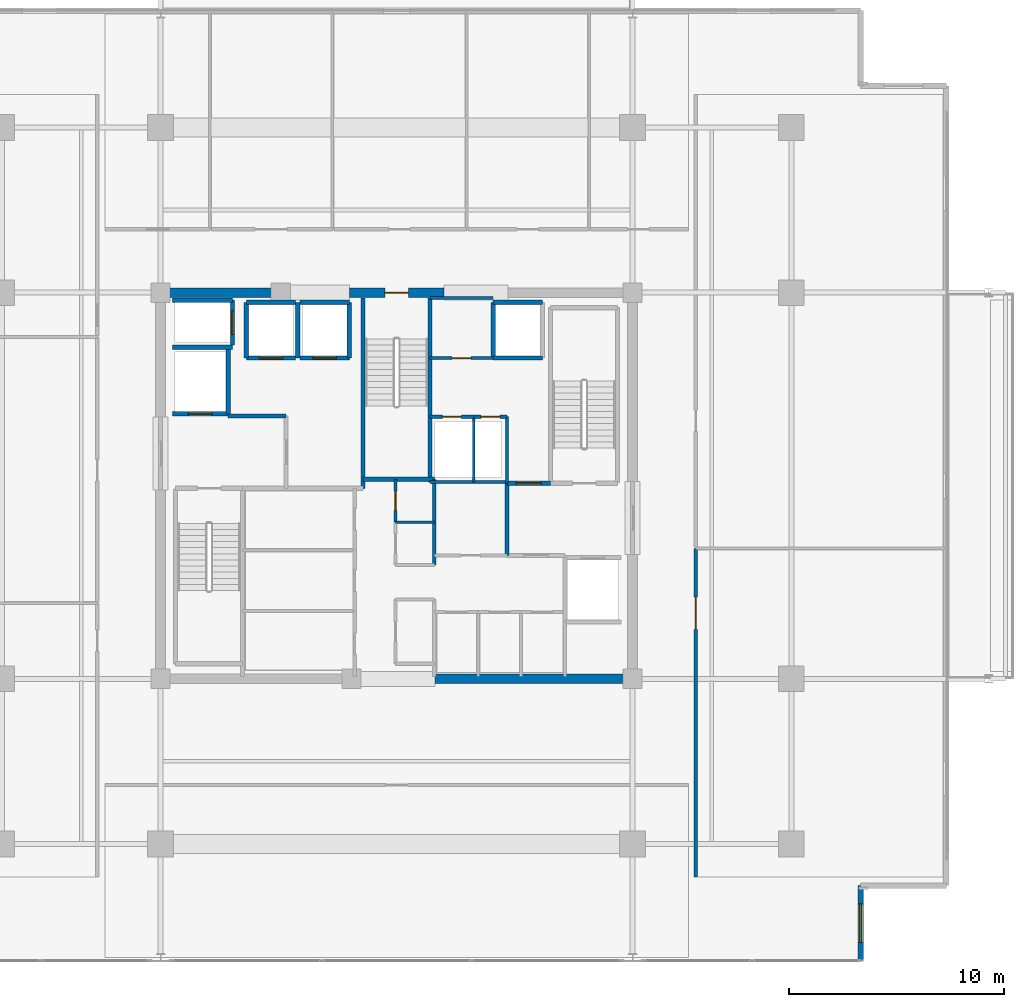
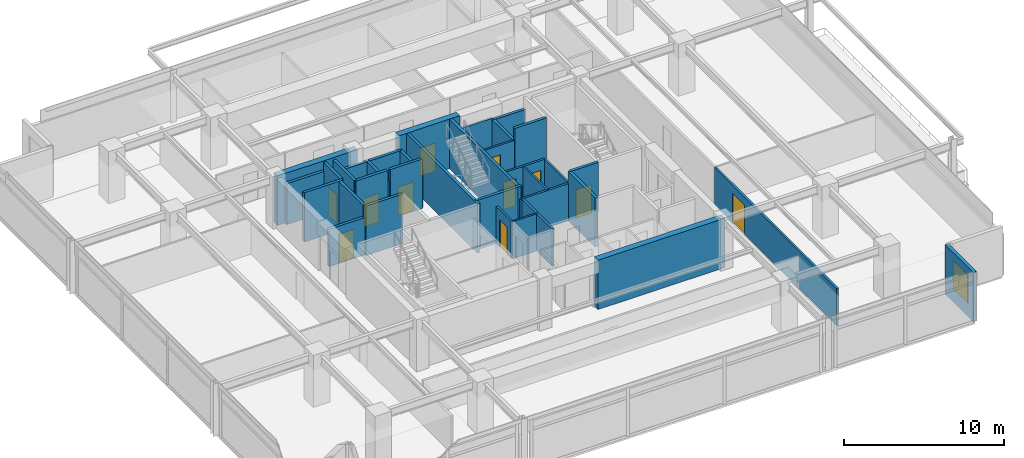
# One storey, part 15 of 21: 36 walls, 11 doors, 1 window, 12 openings.
"""IFC4 building model written with IfcOpenShell, lengths in metres."""

from ifc_helpers import new_model, si_unit, direction, frame, frame_2d, origin, place, context, subcontext, project, spatial, rectangle, extrude, material, layer, layer_set, type_object, element, fill, save


model = new_model("IFC4")

# Units and contexts
model_context = context("Model", 3, precision=1e-05, world=origin(), true_north=direction((0.0, 1.0)))
body_context = subcontext(model_context, "Body", "Model", "MODEL_VIEW")
ifc_project = project(units=[si_unit("LENGTHUNIT", "METRE"), si_unit("AREAUNIT", "SQUARE_METRE"), si_unit("VOLUMEUNIT", "CUBIC_METRE"), si_unit("PLANEANGLEUNIT", "RADIAN"), si_unit("MASSUNIT", "GRAM", prefix="KILO")], contexts=[model_context])

# Site, building, storey
site_placement = place(None, origin())
site = spatial("IfcSite", under=ifc_project, at=site_placement, CompositionType="ELEMENT")
building_placement = place(site_placement, origin())
building = spatial("IfcBuilding", under=site, at=building_placement, Name="Kovane Verandah Tower", CompositionType="ELEMENT")
storey_placement = place(building_placement, frame((0.0, 0.0, 283.199951171875)))
storey = spatial("IfcBuildingStorey", under=building, at=storey_placement, Name="L66", CompositionType="ELEMENT", Elevation=283.199951171875)

# Wall
ifc_material_1 = material(Name="Fire-Rated Gypsum Stud Partition", Category="gypsum")
ifc_layer_1 = layer(ifc_material_1, 0.14990234375)
ifc_layer_set_1 = layer_set([ifc_layer_1], Name="Fire-Rated Gypsum Stud Partition")
wall_type_1 = type_object("IfcWallType", Name="WL-COR-150", PredefinedType="PARTITIONING", material=ifc_layer_set_1)
wall_1_placement = place(storey_placement, frame((41.760009765625, 23.800048828125, 0.0), z_axis=(0.0, 0.0, 1.0), x_axis=(0.0, 1.0, 0.0)))
element("IfcWall", 1, at=wall_1_placement, inside=storey, type_object=wall_type_1, Name="L66 Central Core Strip Upper East Wall", PredefinedType="PARTITIONING", context=body_context, shape_type="SweptSolid", body=[
    extrude(rectangle(XDim=4.0, YDim=0.14990234375, at=frame_2d((2.0, 0.0))), origin(), (0.0, 0.0, 1.0), 2.85009765625),
])

# Wall, opening, door
wall_2_placement = place(storey_placement, frame((39.949951171875, 25.800048828125, 0.0), z_axis=(0.0, 0.0, 1.0), x_axis=(0.0, 1.0, 0.0)))
wall_2 = element("IfcWall", 2, at=wall_2_placement, inside=storey, type_object=wall_type_1, Name="L66 Accessible Unisex Toilet Partition", PredefinedType="PARTITIONING", context=body_context, shape_type="SweptSolid", body=[
    extrude(rectangle(XDim=2.0, YDim=0.14990234375, at=frame_2d((1.0, 0.0))), origin(), (0.0, 0.0, 1.0), 2.85009765625),
])
opening_1_placement = place(wall_2_placement, frame((0.550048828125, 0.0, 0.0)))
opening_1 = element("IfcOpeningElement", 3, at=opening_1_placement, cuts=wall_2, Name="Opening DR-L66-029", PredefinedType="OPENING", context=body_context, shape_type="SweptSolid", body=[
    extrude(rectangle(XDim=0.89990234375, YDim=2.10009765625, at=frame_2d((0.449951171875, 1.050048828125))), frame((0.0, 0.074951171875, 0.0), z_axis=(0.0, -1.0, 0.0), x_axis=(1.0, 0.0, 0.0)), (0.0, 0.0, 1.0), 0.14990234375),
])
ifc_material_2 = material(Name="Moisture-Resistant Laminate Washroom Door", Category="wood")
door_type_1 = type_object("IfcDoorType", Name="DR-WC-900", OperationType="SINGLE_SWING_LEFT", PredefinedType="DOOR", material=ifc_material_2)
door_1_placement = place(opening_1_placement, origin())
door_1 = element("IfcDoor", 4, at=door_1_placement, inside=storey, type_object=door_type_1, Name="L66 Accessible Unisex Toilet Door", OperationType="SINGLE_SWING_LEFT", OverallHeight=2.10009765625, OverallWidth=0.89990234375, PredefinedType="DOOR", context=body_context, shape_type="SweptSolid", body=[
    extrude(rectangle(XDim=0.89990234375, YDim=2.10009765625, at=frame_2d((0.449951171875, 1.050048828125))), frame((0.0, 0.02490234375, 0.0), z_axis=(0.0, -1.0, 0.0), x_axis=(1.0, 0.0, 0.0)), (0.0, 0.0, 1.0), 0.050048828125),
])
fill(opening_1, door_1)

# Walls
wall_3_placement = place(storey_placement, frame((41.56005859375, 27.679931640625, 0.0), z_axis=(0.0, 0.0, 1.0), x_axis=(1.0, 0.0, 0.0)))
element("IfcWall", 5, at=wall_3_placement, inside=storey, type_object=wall_type_1, Name="L66 East Core Service Riser South Wall", PredefinedType="PARTITIONING", context=body_context, shape_type="SweptSolid", body=[
    extrude(rectangle(XDim=3.58984375, YDim=0.14990234375, at=frame_2d((1.794921875, 0.0))), origin(), (0.0, 0.0, 1.0), 2.85009765625),
])
wall_4_placement = place(storey_placement, frame((45.14990234375, 27.6201171875, 0.0), z_axis=(0.0, 0.0, 1.0), x_axis=(0.0, 1.0, 0.0)))
element("IfcWall", 6, at=wall_4_placement, inside=storey, type_object=wall_type_1, Name="L66 East Core Service Riser East Wall", PredefinedType="PARTITIONING", context=body_context, shape_type="SweptSolid", body=[
    extrude(rectangle(XDim=3.099853515625, YDim=0.14990234375, at=frame_2d((1.5498046875, 0.0))), origin(), (0.0, 0.0, 1.0), 2.85009765625),
])

# Wall, opening, door
wall_5_placement = place(storey_placement, frame((41.56005859375, 30.719970703125, 0.0), z_axis=(0.0, 0.0, 1.0), x_axis=(1.0, 0.0, 0.0)))
wall_5 = element("IfcWall", 7, at=wall_5_placement, inside=storey, type_object=wall_type_1, Name="L66 Electrical Sub-Main Riser Room Partition", PredefinedType="PARTITIONING", context=body_context, shape_type="SweptSolid", body=[
    extrude(rectangle(XDim=2.0400390625, YDim=0.14990234375, at=frame_2d((1.02001953125, 0.0))), origin(), (0.0, 0.0, 1.0), 2.85009765625),
])
opening_2_placement = place(wall_5_placement, frame((0.580078125, 0.0, 0.0)))
opening_2 = element("IfcOpeningElement", 8, at=opening_2_placement, cuts=wall_5, Name="Opening DR-L66-021", PredefinedType="OPENING", context=body_context, shape_type="SweptSolid", body=[
    extrude(rectangle(XDim=0.8798828125, YDim=2.10009765625, at=frame_2d((0.43994140625, 1.050048828125))), frame((0.0, 0.074951171875, 0.0), z_axis=(0.0, -1.0, 0.0), x_axis=(1.0, 0.0, 0.0)), (0.0, 0.0, 1.0), 0.14990234375),
])
ifc_material_3 = material(Name="Fire-Rated Steel Riser Access Door", Category="steel")
door_type_2 = type_object("IfcDoorType", Name="DR-RISER-880", OperationType="SINGLE_SWING_LEFT", PredefinedType="DOOR", material=ifc_material_3)
door_2_placement = place(opening_2_placement, origin())
door_2 = element("IfcDoor", 9, at=door_2_placement, inside=storey, type_object=door_type_2, Name="L66 Electrical Sub-Main Riser Room Door", OperationType="SINGLE_SWING_LEFT", OverallHeight=2.10009765625, OverallWidth=0.8798828125, PredefinedType="DOOR", context=body_context, shape_type="SweptSolid", body=[
    extrude(rectangle(XDim=0.8798828125, YDim=2.10009765625, at=frame_2d((0.43994140625, 1.050048828125))), frame((0.0, 0.02490234375, 0.0), z_axis=(0.0, -1.0, 0.0), x_axis=(1.0, 0.0, 0.0)), (0.0, 0.0, 1.0), 0.050048828125),
])
fill(opening_2, door_2)

wall_6_placement = place(storey_placement, frame((43.60009765625, 30.719970703125, 0.0), z_axis=(0.0, 0.0, 1.0), x_axis=(1.0, 0.0, 0.0)))
wall_6 = element("IfcWall", 10, at=wall_6_placement, inside=storey, type_object=wall_type_1, Name="L66 Sprinkler Wet Riser Room Partition", PredefinedType="PARTITIONING", context=body_context, shape_type="SweptSolid", body=[
    extrude(rectangle(XDim=1.5498046875, YDim=0.14990234375, at=frame_2d((0.77490234375, 0.0))), origin(), (0.0, 0.0, 1.0), 2.85009765625),
])
opening_3_placement = place(wall_6_placement, frame((0.3349609375, 0.0, 0.0)))
opening_3 = element("IfcOpeningElement", 11, at=opening_3_placement, cuts=wall_6, Name="Opening DR-L66-022", PredefinedType="OPENING", context=body_context, shape_type="SweptSolid", body=[
    extrude(rectangle(XDim=0.8798828125, YDim=2.10009765625, at=frame_2d((0.43994140625, 1.050048828125))), frame((0.0, 0.074951171875, 0.0), z_axis=(0.0, -1.0, 0.0), x_axis=(1.0, 0.0, 0.0)), (0.0, 0.0, 1.0), 0.14990234375),
])
door_3_placement = place(opening_3_placement, origin())
door_3 = element("IfcDoor", 12, at=door_3_placement, inside=storey, type_object=door_type_2, Name="L66 Sprinkler Wet Riser Room Door", OperationType="SINGLE_SWING_RIGHT", OverallHeight=2.10009765625, OverallWidth=0.8798828125, PredefinedType="DOOR", context=body_context, shape_type="SweptSolid", body=[
    extrude(rectangle(XDim=0.8798828125, YDim=2.10009765625, at=frame_2d((0.43994140625, 1.050048828125))), frame((0.0, 0.02490234375, 0.0), z_axis=(0.0, -1.0, 0.0), x_axis=(1.0, 0.0, 0.0)), (0.0, 0.0, 1.0), 0.050048828125),
])
fill(opening_3, door_3)

# Wall
wall_7_placement = place(storey_placement, frame((41.56005859375, 36.25, 0.0), z_axis=(0.0, 0.0, 1.0), x_axis=(1.0, 0.0, 0.0)))
element("IfcWall", 13, at=wall_7_placement, inside=storey, type_object=wall_type_1, Name="L66 Sky Telecom Riser North Wall", PredefinedType="PARTITIONING", context=body_context, shape_type="SweptSolid", body=[
    extrude(rectangle(XDim=2.93994140625, YDim=0.14990234375, at=frame_2d((1.469970703125, 0.0))), origin(), (0.0, 0.0, 1.0), 2.85009765625),
])

# Wall, opening, door
wall_8_placement = place(storey_placement, frame((41.56005859375, 33.449951171875, 0.0), z_axis=(0.0, 0.0, 1.0), x_axis=(1.0, 0.0, 0.0)))
wall_8 = element("IfcWall", 14, at=wall_8_placement, inside=storey, type_object=wall_type_1, Name="L66 Sky Telecom Riser Room Partition", PredefinedType="PARTITIONING", context=body_context, shape_type="SweptSolid", body=[
    extrude(rectangle(XDim=2.93994140625, YDim=0.14990234375, at=frame_2d((1.469970703125, 0.0))), origin(), (0.0, 0.0, 1.0), 2.85009765625),
])
opening_4_placement = place(wall_8_placement, frame((1.030029296875, 0.0, 0.0)))
opening_4 = element("IfcOpeningElement", 15, at=opening_4_placement, cuts=wall_8, Name="Opening DR-L66-020", PredefinedType="OPENING", context=body_context, shape_type="SweptSolid", body=[
    extrude(rectangle(XDim=0.8798828125, YDim=2.10009765625, at=frame_2d((0.43994140625, 1.050048828125))), frame((0.0, 0.074951171875, 0.0), z_axis=(0.0, -1.0, 0.0), x_axis=(1.0, 0.0, 0.0)), (0.0, 0.0, 1.0), 0.14990234375),
])
door_4_placement = place(opening_4_placement, origin())
door_4 = element("IfcDoor", 16, at=door_4_placement, inside=storey, type_object=door_type_2, Name="L66 Sky Telecom Riser Room Door", OperationType="SINGLE_SWING_LEFT", OverallHeight=2.10009765625, OverallWidth=0.8798828125, PredefinedType="DOOR", context=body_context, shape_type="SweptSolid", body=[
    extrude(rectangle(XDim=0.8798828125, YDim=2.10009765625, at=frame_2d((0.43994140625, 1.050048828125))), frame((0.0, 0.02490234375, 0.0), z_axis=(0.0, -1.0, 0.0), x_axis=(1.0, 0.0, 0.0)), (0.0, 0.0, 1.0), 0.050048828125),
])
fill(opening_4, door_4)

wall_9_placement = place(storey_placement, frame((53.949951171875, 9.259521484375, 0.0), z_axis=(0.0, 0.0, 1.0), x_axis=(0.0, 1.0, 0.0)))
wall_9 = element("IfcWall", 17, at=wall_9_placement, inside=storey, type_object=wall_type_1, Name="L66 Client Boardroom E1 Corridor Partition", PredefinedType="PARTITIONING", context=body_context, shape_type="SweptSolid", body=[
    extrude(rectangle(XDim=15.322021484375, YDim=0.14990234375, at=frame_2d((7.6611328125, 0.0))), origin(), (0.0, 0.0, 1.0), 2.85009765625),
])
opening_5_placement = place(wall_9_placement, frame((11.546142578125, 0.0, 0.0)))
opening_5 = element("IfcOpeningElement", 18, at=opening_5_placement, cuts=wall_9, Name="Opening DR-L66-011", PredefinedType="OPENING", context=body_context, shape_type="SweptSolid", body=[
    extrude(rectangle(XDim=1.5, YDim=2.25, at=frame_2d((0.75, 1.125))), frame((0.0, 0.074951171875, 0.0), z_axis=(0.0, -1.0, 0.0), x_axis=(1.0, 0.0, 0.0)), (0.0, 0.0, 1.0), 0.14990234375),
])
ifc_material_4 = material(Name="Glazed Timber Fire-Rated Double Door", Category="wood")
door_type_3 = type_object("IfcDoorType", Name="DR-CONF-1500", OperationType="DOUBLE_DOOR_SINGLE_SWING", PredefinedType="DOOR", material=ifc_material_4)
door_5_placement = place(opening_5_placement, origin())
door_5 = element("IfcDoor", 19, at=door_5_placement, inside=storey, type_object=door_type_3, Name="L66 Client Boardroom E1 Entrance Door", OperationType="DOUBLE_DOOR_SINGLE_SWING", OverallHeight=2.25, OverallWidth=1.5, PredefinedType="DOOR", context=body_context, shape_type="SweptSolid", body=[
    extrude(rectangle(XDim=1.5, YDim=2.25, at=frame_2d((0.75, 1.125))), frame((0.0, 0.02490234375, 0.0), z_axis=(0.0, -1.0, 0.0), x_axis=(1.0, 0.0, 0.0)), (0.0, 0.0, 1.0), 0.050048828125),
])
fill(opening_5, door_5)

# Walls
ifc_material_5 = material(Name="Concrete C60/75", Category="concrete")
ifc_layer_2 = layer(ifc_material_5, 0.449951171875)
ifc_layer_set_2 = layer_set([ifc_layer_2], Name="Concrete C60/75")
wall_type_2 = type_object("IfcWallType", Name="WL-CORE-450", PredefinedType="SHEAR", material=ifc_layer_set_2)
wall_10_placement = place(storey_placement, frame((41.800048828125, 18.5, 0.0), z_axis=(0.0, 0.0, 1.0), x_axis=(1.0, 0.0, 0.0)))
element("IfcWall", 20, at=wall_10_placement, inside=storey, type_object=wall_type_2, Name="L66 Core Shear Wall CS-2", PredefinedType="SHEAR", context=body_context, shape_type="SweptSolid", body=[
    extrude(rectangle(XDim=9.199951171875, YDim=0.449951171875, at=frame_2d((4.60009765625, 0.0))), origin(), (0.0, 0.0, 1.0), 3.78515625),
])
wall_11_placement = place(storey_placement, frame((29.0, 36.5, 0.0), z_axis=(0.0, 0.0, 1.0), x_axis=(1.0, 0.0, 0.0)))
element("IfcWall", 21, at=wall_11_placement, inside=storey, type_object=wall_type_2, Name="L66 Core Shear Wall CN-1", PredefinedType="SHEAR", context=body_context, shape_type="SweptSolid", body=[
    extrude(rectangle(XDim=5.800048828125, YDim=0.449951171875, at=frame_2d((2.89990234375, 0.0))), origin(), (0.0, 0.0, 1.0), 3.78515625),
])

# Wall, opening, door
wall_12_placement = place(storey_placement, frame((37.800048828125, 36.5, 0.0), z_axis=(0.0, 0.0, 1.0), x_axis=(1.0, 0.0, 0.0)))
wall_12 = element("IfcWall", 22, at=wall_12_placement, inside=storey, type_object=wall_type_2, Name="L66 Core Shear Wall CN-2", PredefinedType="SHEAR", context=body_context, shape_type="SweptSolid", body=[
    extrude(rectangle(XDim=4.39990234375, YDim=0.449951171875, at=frame_2d((2.199951171875, 0.0))), origin(), (0.0, 0.0, 1.0), 3.78515625),
])
opening_6_placement = place(wall_12_placement, frame((1.64990234375, 0.0, 0.0)))
opening_6 = element("IfcOpeningElement", 23, at=opening_6_placement, cuts=wall_12, Name="Opening DR-L66-010", PredefinedType="OPENING", context=body_context, shape_type="SweptSolid", body=[
    extrude(rectangle(XDim=1.10009765625, YDim=2.14990234375, at=frame_2d((0.550048828125, 1.074951171875))), frame((0.0, 0.22509765625, 0.0), z_axis=(0.0, -1.0, 0.0), x_axis=(1.0, 0.0, 0.0)), (0.0, 0.0, 1.0), 0.449951171875),
])
ifc_material_6 = material(Name="Fire-Rated Steel Exit Door", Category="steel")
door_type_4 = type_object("IfcDoorType", Name="DR-STAIR-1100", OperationType="SINGLE_SWING_LEFT", PredefinedType="DOOR", material=ifc_material_6)
door_6_placement = place(opening_6_placement, origin())
door_6 = element("IfcDoor", 24, at=door_6_placement, inside=storey, type_object=door_type_4, Name="L66 ST-03 Fire Exit Stair Door", OperationType="SINGLE_SWING_RIGHT", OverallHeight=2.14990234375, OverallWidth=1.10009765625, PredefinedType="DOOR", context=body_context, shape_type="SweptSolid", body=[
    extrude(rectangle(XDim=1.10009765625, YDim=2.14990234375, at=frame_2d((0.550048828125, 1.074951171875))), frame((0.0, 0.02490234375, 0.0), z_axis=(0.0, -1.0, 0.0), x_axis=(1.0, 0.0, 0.0)), (0.0, 0.0, 1.0), 0.050048828125),
])
fill(opening_6, door_6)

# Walls
ifc_material_7 = material(Name="Concrete C45/55 Fire Wall", Category="concrete")
ifc_layer_3 = layer(ifc_material_7, 0.199951171875)
ifc_layer_set_3 = layer_set([ifc_layer_3], Name="Concrete C45/55 Fire Wall")
wall_type_3 = type_object("IfcWallType", Name="WL-FFL-200", PredefinedType="PARTITIONING", material=ifc_layer_set_3)
wall_13_placement = place(storey_placement, frame((32.14990234375, 30.75, 0.0), z_axis=(0.0, 0.0, 1.0), x_axis=(1.0, 0.0, 0.0)))
element("IfcWall", 25, at=wall_13_placement, inside=storey, type_object=wall_type_3, Name="L66 West Firefighting Lobby North Fire Wall", PredefinedType="PARTITIONING", context=body_context, shape_type="SweptSolid", body=[
    extrude(rectangle(XDim=2.7001953125, YDim=0.199951171875, at=frame_2d((1.35009765625, 0.0))), origin(), (0.0, 0.0, 1.0), 3.78515625),
])
wall_14_placement = place(storey_placement, frame((45.14990234375, 24.25, 0.0), z_axis=(0.0, 0.0, 1.0), x_axis=(0.0, 1.0, 0.0)))
element("IfcWall", 26, at=wall_14_placement, inside=storey, type_object=wall_type_3, Name="L66 East Firefighting Lobby West Fire Wall", PredefinedType="PARTITIONING", context=body_context, shape_type="SweptSolid", body=[
    extrude(rectangle(XDim=3.3701171875, YDim=0.199951171875, at=frame_2d((1.68505859375, 0.0))), origin(), (0.0, 0.0, 1.0), 3.78515625),
])

# Wall, opening, door
wall_15_placement = place(storey_placement, frame((45.14990234375, 27.6201171875, 0.0), z_axis=(0.0, 0.0, 1.0), x_axis=(1.0, 0.0, 0.0)))
wall_15 = element("IfcWall", 27, at=wall_15_placement, inside=storey, type_object=wall_type_3, Name="W-L66-FFLE-N", PredefinedType="PARTITIONING", context=body_context, shape_type="SweptSolid", body=[
    extrude(rectangle(XDim=2.030029296875, YDim=0.199951171875, at=frame_2d((1.01513671875, 0.0))), origin(), (0.0, 0.0, 1.0), 3.78515625),
])
opening_7_placement = place(wall_15_placement, frame((0.43994140625, 0.0, 0.0)))
opening_7 = element("IfcOpeningElement", 28, at=opening_7_placement, cuts=wall_15, Name="Opening DR-L66-004", PredefinedType="OPENING", context=body_context, shape_type="SweptSolid", body=[
    extrude(rectangle(XDim=1.14990234375, YDim=2.199951171875, at=frame_2d((0.574951171875, 1.10009765625))), frame((0.0, 0.10009765625, 0.0), z_axis=(0.0, -1.0, 0.0), x_axis=(1.0, 0.0, 0.0)), (0.0, 0.0, 1.0), 0.199951171875),
])
ifc_material_8 = material(Name="Smoke-Sealed Firefighting Lobby Door", Category="steel")
door_type_5 = type_object("IfcDoorType", Name="DR-FFL-1150", OperationType="SINGLE_SWING_LEFT", PredefinedType="DOOR", material=ifc_material_8)
door_7_placement = place(opening_7_placement, origin())
door_7 = element("IfcDoor", 29, at=door_7_placement, inside=storey, type_object=door_type_5, Name="L66 East Firefighting Lobby Shuttle Link Door", OperationType="SINGLE_SWING_LEFT", OverallHeight=2.199951171875, OverallWidth=1.14990234375, PredefinedType="DOOR", context=body_context, shape_type="SweptSolid", body=[
    extrude(rectangle(XDim=1.14990234375, YDim=2.199951171875, at=frame_2d((0.574951171875, 1.10009765625))), frame((0.0, 0.02490234375, 0.0), z_axis=(0.0, -1.0, 0.0), x_axis=(1.0, 0.0, 0.0)), (0.0, 0.0, 1.0), 0.050048828125),
])
fill(opening_7, door_7)

ifc_material_9 = material(Name="Concrete C45/55 Lift Shaft Wall", Category="concrete")
ifc_layer_4 = layer(ifc_material_9, 0.199951171875)
ifc_layer_set_4 = layer_set([ifc_layer_4], Name="Concrete C45/55 Lift Shaft Wall")
wall_type_4 = type_object("IfcWallType", Name="WL-LIFT-200", PredefinedType="SOLIDWALL", material=ifc_layer_set_4)
wall_16_placement = place(storey_placement, frame((29.550048828125, 30.85009765625, 0.0), z_axis=(0.0, 0.0, 1.0), x_axis=(1.0, 0.0, 0.0)))
wall_16 = element("IfcWall", 30, at=wall_16_placement, inside=storey, type_object=wall_type_4, Name="L66 Lift FL-01 S Shaft Wall", PredefinedType="SOLIDWALL", context=body_context, shape_type="SweptSolid", body=[
    extrude(rectangle(XDim=2.599853515625, YDim=0.199951171875, at=frame_2d((1.2998046875, 0.0))), origin(), (0.0, 0.0, 1.0), 2.864990234375),
])
opening_8_placement = place(wall_16_placement, frame((0.75, 0.0, 0.0)))
opening_8 = element("IfcOpeningElement", 31, at=opening_8_placement, cuts=wall_16, Name="Opening LD-L66-001", PredefinedType="OPENING", context=body_context, shape_type="SweptSolid", body=[
    extrude(rectangle(XDim=1.10009765625, YDim=2.199951171875, at=frame_2d((0.550048828125, 1.10009765625))), frame((0.0, 0.10009765625, 0.0), z_axis=(0.0, -1.0, 0.0), x_axis=(1.0, 0.0, 0.0)), (0.0, 0.0, 1.0), 0.199951171875),
])
ifc_material_10 = material(Name="Brushed Stainless Steel Sliding Lift Landing Door", Category="steel")
door_type_6 = type_object("IfcDoorType", Name="DR-LIFT-1100", OperationType="SLIDING_TO_RIGHT", PredefinedType="DOOR", material=ifc_material_10)
door_8_placement = place(opening_8_placement, origin())
door_8 = element("IfcDoor", 32, at=door_8_placement, inside=storey, type_object=door_type_6, Name="L66 Lift FL-01 Sliding Landing Door", OperationType="SLIDING_TO_RIGHT", OverallHeight=2.199951171875, OverallWidth=1.10009765625, PredefinedType="DOOR", context=body_context, shape_type="SweptSolid", body=[
    extrude(rectangle(XDim=1.10009765625, YDim=2.199951171875, at=frame_2d((0.550048828125, 1.10009765625))), frame((0.0, 0.02490234375, 0.0), z_axis=(0.0, -1.0, 0.0), x_axis=(1.0, 0.0, 0.0)), (0.0, 0.0, 1.0), 0.050048828125),
])
fill(opening_8, door_8)

# Walls
wall_17_placement = place(storey_placement, frame((29.550048828125, 33.949951171875, 0.0), z_axis=(0.0, 0.0, 1.0), x_axis=(1.0, 0.0, 0.0)))
element("IfcWall", 33, at=wall_17_placement, inside=storey, type_object=wall_type_4, Name="L66 Lift FL-01 and GL-01 Shared Shaft Wall", PredefinedType="SOLIDWALL", context=body_context, shape_type="SweptSolid", body=[
    extrude(rectangle(XDim=2.800048828125, YDim=0.199951171875, at=frame_2d((1.39990234375, 0.0))), origin(), (0.0, 0.0, 1.0), 3.78515625),
])
wall_18_placement = place(storey_placement, frame((32.14990234375, 30.85009765625, 0.0), z_axis=(0.0, 0.0, 1.0), x_axis=(0.0, 1.0, 0.0)))
element("IfcWall", 34, at=wall_18_placement, inside=storey, type_object=wall_type_4, Name="L66 Lift FL-01 E Shaft Wall", PredefinedType="SOLIDWALL", context=body_context, shape_type="SweptSolid", body=[
    extrude(rectangle(XDim=3.0, YDim=0.199951171875, at=frame_2d((1.5, 0.0))), origin(), (0.0, 0.0, 1.0), 3.78515625),
])
wall_19_placement = place(storey_placement, frame((32.35009765625, 36.14990234375, 0.0), z_axis=(0.0, 0.0, 1.0), x_axis=(-1.0, 0.0, 0.0)))
element("IfcWall", 35, at=wall_19_placement, inside=storey, type_object=wall_type_4, Name="L66 Lift GL-01 N Shaft Wall", PredefinedType="SOLIDWALL", context=body_context, shape_type="SweptSolid", body=[
    extrude(rectangle(XDim=2.800048828125, YDim=0.199951171875, at=frame_2d((1.39990234375, 0.0))), origin(), (0.0, 0.0, 1.0), 3.14794921875),
])

# Wall, opening, door
wall_20_placement = place(storey_placement, frame((32.35009765625, 34.050048828125, 0.0), z_axis=(0.0, 0.0, 1.0), x_axis=(0.0, 1.0, 0.0)))
wall_20 = element("IfcWall", 36, at=wall_20_placement, inside=storey, type_object=wall_type_4, Name="L66 Lift GL-01 E Shaft Wall", PredefinedType="SOLIDWALL", context=body_context, shape_type="SweptSolid", body=[
    extrude(rectangle(XDim=2.099853515625, YDim=0.199951171875, at=frame_2d((1.0498046875, 0.0))), origin(), (0.0, 0.0, 1.0), 3.78515625),
])
opening_9_placement = place(wall_20_placement, frame((0.5, 0.0, 0.0)))
opening_9 = element("IfcOpeningElement", 37, at=opening_9_placement, cuts=wall_20, Name="Opening LD-L66-003", PredefinedType="OPENING", context=body_context, shape_type="SweptSolid", body=[
    extrude(rectangle(XDim=1.10009765625, YDim=2.199951171875, at=frame_2d((0.550048828125, 1.10009765625))), frame((0.0, 0.10009765625, 0.0), z_axis=(0.0, -1.0, 0.0), x_axis=(1.0, 0.0, 0.0)), (0.0, 0.0, 1.0), 0.199951171875),
])
door_9_placement = place(opening_9_placement, origin())
door_9 = element("IfcDoor", 38, at=door_9_placement, inside=storey, type_object=door_type_6, Name="L66 Lift GL-01 Sliding Landing Door", OperationType="SLIDING_TO_RIGHT", OverallHeight=2.199951171875, OverallWidth=1.10009765625, PredefinedType="DOOR", context=body_context, shape_type="SweptSolid", body=[
    extrude(rectangle(XDim=1.10009765625, YDim=2.199951171875, at=frame_2d((0.550048828125, 1.10009765625))), frame((0.0, 0.02490234375, 0.0), z_axis=(0.0, -1.0, 0.0), x_axis=(1.0, 0.0, 0.0)), (0.0, 0.0, 1.0), 0.050048828125),
])
fill(opening_9, door_9)

wall_21_placement = place(storey_placement, frame((33.0, 33.449951171875, 0.0), z_axis=(0.0, 0.0, 1.0), x_axis=(1.0, 0.0, 0.0)))
wall_21 = element("IfcWall", 39, at=wall_21_placement, inside=storey, type_object=wall_type_4, Name="L66 Lift PL-H1 S Shaft Wall", PredefinedType="SOLIDWALL", context=body_context, shape_type="SweptSolid", body=[
    extrude(rectangle(XDim=2.300048828125, YDim=0.199951171875, at=frame_2d((1.14990234375, 0.0))), origin(), (0.0, 0.0, 1.0), 3.78515625),
])
opening_10_placement = place(wall_21_placement, frame((0.60009765625, 0.0, 0.0)))
opening_10 = element("IfcOpeningElement", 40, at=opening_10_placement, cuts=wall_21, Name="Opening LD-L66-004", PredefinedType="OPENING", context=body_context, shape_type="SweptSolid", body=[
    extrude(rectangle(XDim=1.10009765625, YDim=2.199951171875, at=frame_2d((0.550048828125, 1.10009765625))), frame((0.0, 0.10009765625, 0.0), z_axis=(0.0, -1.0, 0.0), x_axis=(1.0, 0.0, 0.0)), (0.0, 0.0, 1.0), 0.199951171875),
])
door_10_placement = place(opening_10_placement, origin())
door_10 = element("IfcDoor", 41, at=door_10_placement, inside=storey, type_object=door_type_6, Name="L66 Lift PL-H1 Sliding Landing Door", OperationType="SLIDING_TO_RIGHT", OverallHeight=2.199951171875, OverallWidth=1.10009765625, PredefinedType="DOOR", context=body_context, shape_type="SweptSolid", body=[
    extrude(rectangle(XDim=1.10009765625, YDim=2.199951171875, at=frame_2d((0.550048828125, 1.10009765625))), frame((0.0, 0.02490234375, 0.0), z_axis=(0.0, -1.0, 0.0), x_axis=(1.0, 0.0, 0.0)), (0.0, 0.0, 1.0), 0.050048828125),
])
fill(opening_10, door_10)

# Walls
wall_22_placement = place(storey_placement, frame((35.300048828125, 36.050048828125, 0.0), z_axis=(0.0, 0.0, 1.0), x_axis=(-1.0, 0.0, 0.0)))
element("IfcWall", 42, at=wall_22_placement, inside=storey, type_object=wall_type_4, Name="L66 Lift PL-H1 N Shaft Wall", PredefinedType="SOLIDWALL", context=body_context, shape_type="SweptSolid", body=[
    extrude(rectangle(XDim=2.300048828125, YDim=0.199951171875, at=frame_2d((1.14990234375, 0.0))), origin(), (0.0, 0.0, 1.0), 2.864990234375),
])
wall_23_placement = place(storey_placement, frame((33.0, 36.050048828125, 0.0), z_axis=(0.0, 0.0, 1.0), x_axis=(0.0, -1.0, 0.0)))
element("IfcWall", 43, at=wall_23_placement, inside=storey, type_object=wall_type_4, Name="L66 Lift PL-H1 W Shaft Wall", PredefinedType="SOLIDWALL", context=body_context, shape_type="SweptSolid", body=[
    extrude(rectangle(XDim=2.60009765625, YDim=0.199951171875, at=frame_2d((1.300048828125, 0.0))), origin(), (0.0, 0.0, 1.0), 3.78515625),
])
wall_24_placement = place(storey_placement, frame((35.39990234375, 33.449951171875, 0.0), z_axis=(0.0, 0.0, 1.0), x_axis=(0.0, 1.0, 0.0)))
element("IfcWall", 44, at=wall_24_placement, inside=storey, type_object=wall_type_4, Name="L66 Lift PL-H1 and PL-H2 Shared Shaft Wall", PredefinedType="SOLIDWALL", context=body_context, shape_type="SweptSolid", body=[
    extrude(rectangle(XDim=2.60009765625, YDim=0.199951171875, at=frame_2d((1.300048828125, 0.0))), origin(), (0.0, 0.0, 1.0), 2.864990234375),
])

# Wall, opening, door
wall_25_placement = place(storey_placement, frame((35.5, 33.449951171875, 0.0), z_axis=(0.0, 0.0, 1.0), x_axis=(1.0, 0.0, 0.0)))
wall_25 = element("IfcWall", 45, at=wall_25_placement, inside=storey, type_object=wall_type_4, Name="L66 Lift PL-H2 S Shaft Wall", PredefinedType="SOLIDWALL", context=body_context, shape_type="SweptSolid", body=[
    extrude(rectangle(XDim=2.300048828125, YDim=0.199951171875, at=frame_2d((1.14990234375, 0.0))), origin(), (0.0, 0.0, 1.0), 3.78515625),
])
opening_11_placement = place(wall_25_placement, frame((0.60009765625, 0.0, 0.0)))
opening_11 = element("IfcOpeningElement", 46, at=opening_11_placement, cuts=wall_25, Name="Opening LD-L66-005", PredefinedType="OPENING", context=body_context, shape_type="SweptSolid", body=[
    extrude(rectangle(XDim=1.10009765625, YDim=2.199951171875, at=frame_2d((0.550048828125, 1.10009765625))), frame((0.0, 0.10009765625, 0.0), z_axis=(0.0, -1.0, 0.0), x_axis=(1.0, 0.0, 0.0)), (0.0, 0.0, 1.0), 0.199951171875),
])
door_11_placement = place(opening_11_placement, origin())
door_11 = element("IfcDoor", 47, at=door_11_placement, inside=storey, type_object=door_type_6, Name="L66 Lift PL-H2 Sliding Landing Door", OperationType="SLIDING_TO_RIGHT", OverallHeight=2.199951171875, OverallWidth=1.10009765625, PredefinedType="DOOR", context=body_context, shape_type="SweptSolid", body=[
    extrude(rectangle(XDim=1.10009765625, YDim=2.199951171875, at=frame_2d((0.550048828125, 1.10009765625))), frame((0.0, 0.02490234375, 0.0), z_axis=(0.0, -1.0, 0.0), x_axis=(1.0, 0.0, 0.0)), (0.0, 0.0, 1.0), 0.050048828125),
])
fill(opening_11, door_11)

# Walls
wall_26_placement = place(storey_placement, frame((37.800048828125, 36.050048828125, 0.0), z_axis=(0.0, 0.0, 1.0), x_axis=(-1.0, 0.0, 0.0)))
element("IfcWall", 48, at=wall_26_placement, inside=storey, type_object=wall_type_4, Name="L66 Lift PL-H2 N Shaft Wall", PredefinedType="SOLIDWALL", context=body_context, shape_type="SweptSolid", body=[
    extrude(rectangle(XDim=2.300048828125, YDim=0.199951171875, at=frame_2d((1.14990234375, 0.0))), origin(), (0.0, 0.0, 1.0), 2.864990234375),
])
wall_27_placement = place(storey_placement, frame((37.800048828125, 33.449951171875, 0.0), z_axis=(0.0, 0.0, 1.0), x_axis=(0.0, 1.0, 0.0)))
element("IfcWall", 49, at=wall_27_placement, inside=storey, type_object=wall_type_4, Name="L66 Lift PL-H2 E Shaft Wall", PredefinedType="SOLIDWALL", context=body_context, shape_type="SweptSolid", body=[
    extrude(rectangle(XDim=2.60009765625, YDim=0.199951171875, at=frame_2d((1.300048828125, 0.0))), origin(), (0.0, 0.0, 1.0), 2.864990234375),
])
wall_28_placement = place(storey_placement, frame((44.5, 33.449951171875, 0.0), z_axis=(0.0, 0.0, 1.0), x_axis=(1.0, 0.0, 0.0)))
element("IfcWall", 50, at=wall_28_placement, inside=storey, type_object=wall_type_4, Name="L66 Lift OL-01 S Shaft Wall", PredefinedType="SOLIDWALL", context=body_context, shape_type="SweptSolid", body=[
    extrude(rectangle(XDim=2.300048828125, YDim=0.199951171875, at=frame_2d((1.14990234375, 0.0))), origin(), (0.0, 0.0, 1.0), 3.78515625),
])
wall_29_placement = place(storey_placement, frame((46.800048828125, 36.050048828125, 0.0), z_axis=(0.0, 0.0, 1.0), x_axis=(-1.0, 0.0, 0.0)))
element("IfcWall", 51, at=wall_29_placement, inside=storey, type_object=wall_type_4, Name="L66 Lift OL-01 N Shaft Wall", PredefinedType="SOLIDWALL", context=body_context, shape_type="SweptSolid", body=[
    extrude(rectangle(XDim=2.300048828125, YDim=0.199951171875, at=frame_2d((1.14990234375, 0.0))), origin(), (0.0, 0.0, 1.0), 2.864990234375),
])
wall_30_placement = place(storey_placement, frame((44.5, 36.050048828125, 0.0), z_axis=(0.0, 0.0, 1.0), x_axis=(0.0, -1.0, 0.0)))
element("IfcWall", 52, at=wall_30_placement, inside=storey, type_object=wall_type_4, Name="L66 Lift OL-01 W Shaft Wall", PredefinedType="SOLIDWALL", context=body_context, shape_type="SweptSolid", body=[
    extrude(rectangle(XDim=2.60009765625, YDim=0.199951171875, at=frame_2d((1.300048828125, 0.0))), origin(), (0.0, 0.0, 1.0), 2.864990234375),
])
ifc_material_11 = material(Name="Acoustic Fire-Rated Gypsum Partition", Category="gypsum")
ifc_layer_5 = layer(ifc_material_11, 0.1201171875)
ifc_layer_set_5 = layer_set([ifc_layer_5], Name="Acoustic Fire-Rated Gypsum Partition")
wall_type_5 = type_object("IfcWallType", Name="WL-PART-120", PredefinedType="PARTITIONING", material=ifc_layer_set_5)
wall_31_placement = place(storey_placement, frame((39.949951171875, 25.800048828125, 0.0), z_axis=(0.0, 0.0, 1.0), x_axis=(1.0, 0.0, 0.0)))
element("IfcWall", 53, at=wall_31_placement, inside=storey, type_object=wall_type_5, Name="L66 Central Core Strip Upper Dividing Partition", PredefinedType="PARTITIONING", context=body_context, shape_type="SweptSolid", body=[
    extrude(rectangle(XDim=1.81005859375, YDim=0.1201171875, at=frame_2d((0.905029296875, 0.0))), origin(), (0.0, 0.0, 1.0), 2.85009765625),
])
wall_32_placement = place(storey_placement, frame((43.60009765625, 27.679931640625, 0.0), z_axis=(0.0, 0.0, 1.0), x_axis=(0.0, 1.0, 0.0)))
element("IfcWall", 54, at=wall_32_placement, inside=storey, type_object=wall_type_5, Name="L66 Service Riser Dividing Partition", PredefinedType="PARTITIONING", context=body_context, shape_type="SweptSolid", body=[
    extrude(rectangle(XDim=3.0400390625, YDim=0.1201171875, at=frame_2d((1.52001953125, 0.0))), origin(), (0.0, 0.0, 1.0), 2.85009765625),
])
ifc_material_12 = material(Name="Concrete C45/55", Category="concrete")
ifc_layer_6 = layer(ifc_material_12, 0.199951171875)
ifc_layer_set_6 = layer_set([ifc_layer_6], Name="Concrete C45/55")
wall_type_6 = type_object("IfcWallType", Name="WL-SHAFT-200", PredefinedType="SOLIDWALL", material=ifc_layer_set_6)
wall_33_placement = place(storey_placement, frame((38.43994140625, 27.3798828125, 0.0), z_axis=(0.0, 0.0, 1.0), x_axis=(0.0, 1.0, 0.0)))
element("IfcWall", 55, at=wall_33_placement, inside=storey, type_object=wall_type_6, Name="W-L66-ST03-W", PredefinedType="SOLIDWALL", context=body_context, shape_type="SweptSolid", body=[
    extrude(rectangle(XDim=8.8701171875, YDim=0.199951171875, at=frame_2d((4.43505859375, 0.0))), origin(), (0.0, 0.0, 1.0), 3.78515625),
])
wall_34_placement = place(storey_placement, frame((41.56005859375, 27.679931640625, 0.0), z_axis=(0.0, 0.0, 1.0), x_axis=(0.0, 1.0, 0.0)))
element("IfcWall", 56, at=wall_34_placement, inside=storey, type_object=wall_type_6, Name="W-L66-ST03-E", PredefinedType="SOLIDWALL", context=body_context, shape_type="SweptSolid", body=[
    extrude(rectangle(XDim=8.570068359375, YDim=0.199951171875, at=frame_2d((4.28515625, 0.0))), origin(), (0.0, 0.0, 1.0), 3.78515625),
])
wall_35_placement = place(storey_placement, frame((38.43994140625, 27.800048828125, 0.0), z_axis=(0.0, 0.0, 1.0), x_axis=(1.0, 0.0, 0.0)))
element("IfcWall", 57, at=wall_35_placement, inside=storey, type_object=wall_type_6, Name="W-L66-ST03-S", PredefinedType="SOLIDWALL", context=body_context, shape_type="SweptSolid", body=[
    extrude(rectangle(XDim=3.320068359375, YDim=0.199951171875, at=frame_2d((1.66015625, 0.0))), origin(), (0.0, 0.0, 1.0), 3.78515625),
])

# Wall, opening, window
ifc_material_13 = material(Name="Concrete C45/55 Insulated Spandrel Wall", Category="concrete")
ifc_layer_7 = layer(ifc_material_13, 0.260009765625)
ifc_layer_set_7 = layer_set([ifc_layer_7], Name="Concrete C45/55 Insulated Spandrel Wall")
wall_type_7 = type_object("IfcWallType", Name="WL-SPANDREL-260", PredefinedType="PARAPET", material=ifc_layer_set_7)
wall_36_placement = place(storey_placement, frame((61.63134765625, 5.359619140625, 0.0), z_axis=(0.0, 0.0, 1.0), x_axis=(0.0, 1.0, 0.0)))
wall_36 = element("IfcWall", 58, at=wall_36_placement, inside=storey, type_object=wall_type_7, Name="L66 SE Notch Cheek Wall 1", PredefinedType="PARAPET", context=body_context, shape_type="SweptSolid", body=[
    extrude(rectangle(XDim=3.5, YDim=0.260009765625, at=frame_2d((1.75, 0.0))), origin(), (0.0, 0.0, 1.0), 3.78515625),
])
opening_12_placement = place(wall_36_placement, frame((0.85009765625, 0.0, 0.85009765625)))
opening_12 = element("IfcOpeningElement", 59, at=opening_12_placement, cuts=wall_36, Name="Opening W-03", PredefinedType="OPENING", context=body_context, shape_type="SweptSolid", body=[
    extrude(rectangle(XDim=1.800048828125, YDim=2.199951171875, at=frame_2d((0.89990234375, 1.10009765625))), frame((0.0, 0.1298828125, 0.0), z_axis=(0.0, -1.0, 0.0), x_axis=(1.0, 0.0, 0.0)), (0.0, 0.0, 1.0), 0.260009765625),
])
ifc_material_14 = material(Name="Clear Low-E Laminated Double Glazing in Anodised Frame", Category="glass")
window_type = type_object("IfcWindowType", Name="WN-NOTCH-1800x2200", PartitioningType="SINGLE_PANEL", PredefinedType="WINDOW", material=ifc_material_14)
window_placement = place(opening_12_placement, origin())
window = element("IfcWindow", 60, at=window_placement, inside=storey, type_object=window_type, Name="L66 SE Re-Entrant Corner Operable Window", OverallHeight=2.199951171875, OverallWidth=1.800048828125, PartitioningType="SINGLE_PANEL", PredefinedType="WINDOW", context=body_context, shape_type="SweptSolid", body=[
    extrude(rectangle(XDim=1.800048828125, YDim=2.199951171875, at=frame_2d((0.89990234375, 1.10009765625))), frame((0.0, 0.030029296875, 0.0), z_axis=(0.0, -1.0, 0.0), x_axis=(1.0, 0.0, 0.0)), (0.0, 0.0, 1.0), 0.06005859375),
])
fill(opening_12, window)

save(model, "model.ifc")
